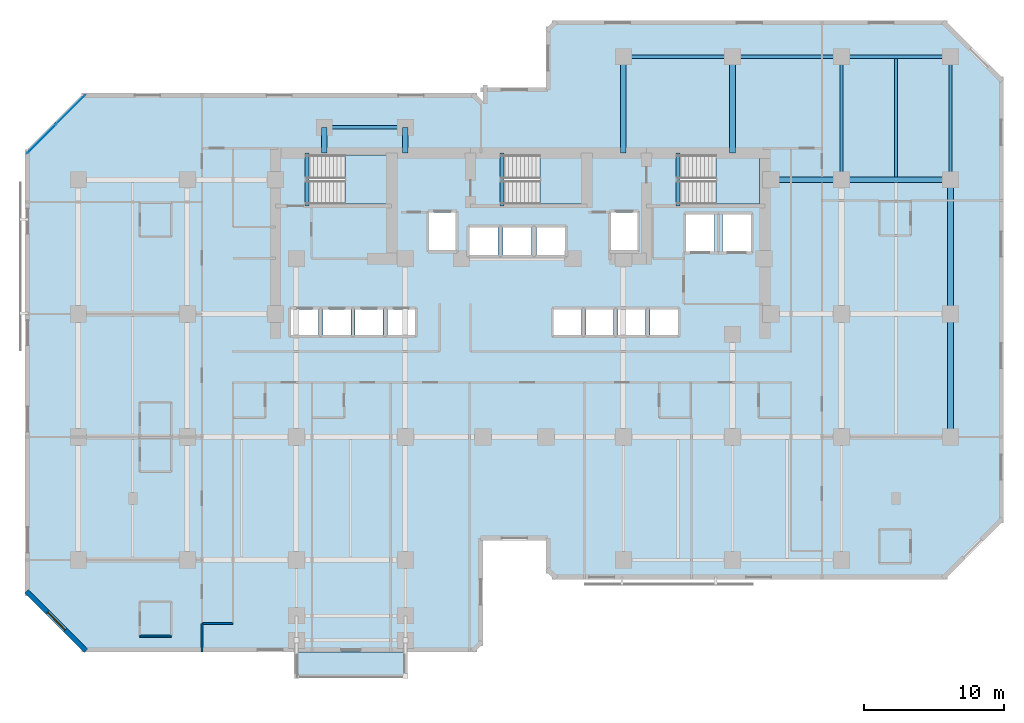
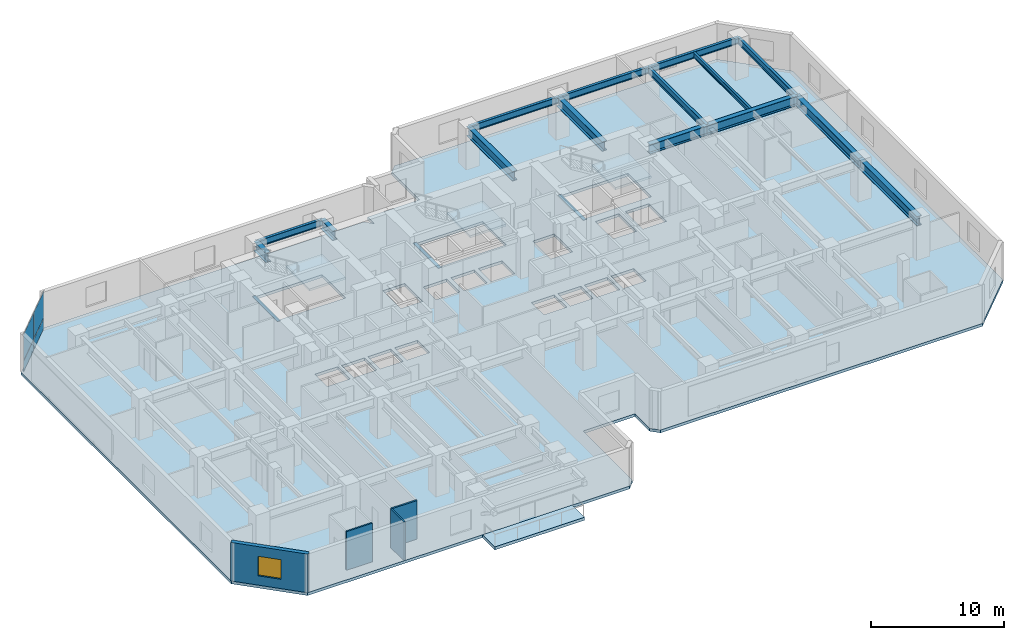
# One storey, part 5 of 12: 18 beams, 5 slabs, 4 plates, 4 walls, 1 window, 1 opening, 4 elements without a shape of their own.
"""IFC4 building model written with IfcOpenShell, lengths in metres."""

import ifcopenshell
import ifcopenshell.guid

model = None  # the IFC model being written
_history = None  # IfcOwnerHistory: only IFC2X3 demands one
_inside = {}  # id of a spatial element -> (the spatial element, [elements in it])
_under = {}  # id of a project, library or spatial element -> (it, [spatial elements below it])
_declared = {}  # id of a project -> (the project, [libraries it declares])
_typed = {}  # id of a type object -> (the type object, [elements of that type])
_made_of = {}  # id of a material, layer set ... -> (it, [elements and type objects made of it])


def new_model(schema):
    """Start an empty IFC model of exactly this schema.

    Asked for "IFC4X3", IfcOpenShell would pick the latest addendum, in which some entities
    have other attributes; the version numbers below select the first issue.
    IFC2X3 requires an IfcOwnerHistory on every rooted entity: one is made here for all.
    """
    global model, _history
    if schema == "IFC4X3":
        model = ifcopenshell.file(schema_version=(4, 3, 0, 0))
    else:
        model = ifcopenshell.file(schema=schema)
    _inside.clear()
    _under.clear()
    _declared.clear()
    _typed.clear()
    _made_of.clear()
    _history = None
    if model.schema == "IFC2X3":
        org = make("IfcOrganization", Name="unknown")
        user = make(
            "IfcPersonAndOrganization",
            ThePerson=make("IfcPerson", FamilyName="unknown"),
            TheOrganization=org,
        )
        app = make(
            "IfcApplication",
            ApplicationDeveloper=org,
            Version="unknown",
            ApplicationFullName="unknown",
            ApplicationIdentifier="unknown",
        )
        _history = make(
            "IfcOwnerHistory",
            OwningUser=user,
            OwningApplication=app,
            ChangeAction="ADDED",
            CreationDate=0,
        )
    return model


def make(cls, **values):
    """One entity of the class cls with the attributes given. An attribute that is None is left unset."""
    return model.create_entity(
        cls, **{name: value for name, value in values.items() if value is not None}
    )


def rooted(cls, **values):
    """An entity with a GlobalId (a new one), such as an element, a storey or a relation."""
    return make(cls, GlobalId=ifcopenshell.guid.new(), OwnerHistory=_history, **values)


def si_unit(unit_type, name, prefix=None):
    """IfcSIUnit, for example si_unit("LENGTHUNIT", "METRE", prefix="MILLI")."""
    return make("IfcSIUnit", UnitType=unit_type, Prefix=prefix, Name=name)


def assignment(units):
    """IfcUnitAssignment: the units of a project."""
    return None if units is None else make("IfcUnitAssignment", Units=units)


def point(xyz):
    """IfcCartesianPoint."""
    return None if xyz is None else make("IfcCartesianPoint", Coordinates=xyz)


def direction(xyz):
    """IfcDirection."""
    return None if xyz is None else make("IfcDirection", DirectionRatios=xyz)


def frame(location, z_axis=None, x_axis=None):
    """IfcAxis2Placement3D, a coordinate frame: its origin and axes. An axis left out is left unset."""
    return make(
        "IfcAxis2Placement3D",
        Location=point(location),
        Axis=direction(z_axis),
        RefDirection=direction(x_axis),
    )


def frame_2d(location, x_axis=None):
    """IfcAxis2Placement2D, a coordinate frame in the plane: its origin and x axis."""
    return make(
        "IfcAxis2Placement2D", Location=point(location), RefDirection=direction(x_axis)
    )


def origin():
    """The frame at (0, 0, 0) with its axes left unset."""
    return frame((0.0, 0.0, 0.0))


def origin_2d():
    """The frame at (0, 0) in the plane with its x axis left unset."""
    return frame_2d((0.0, 0.0))


def place(relative_to, where):
    """IfcLocalPlacement: puts the frame where relative to a parent placement (None: the world)."""
    return make(
        "IfcLocalPlacement", PlacementRelTo=relative_to, RelativePlacement=where
    )


def context(
    kind, dimensions, precision=None, world=None, true_north=None, identifier=None
):
    """IfcGeometricRepresentationContext, for example the 3D "Model" context."""
    return make(
        "IfcGeometricRepresentationContext",
        ContextIdentifier=identifier,
        ContextType=kind,
        CoordinateSpaceDimension=dimensions,
        Precision=precision,
        WorldCoordinateSystem=world,
        TrueNorth=true_north,
    )


def subcontext(parent, identifier, kind, view, scale=None):
    """IfcGeometricRepresentationSubContext, for example "Body" below "Model"."""
    return make(
        "IfcGeometricRepresentationSubContext",
        ContextIdentifier=identifier,
        ContextType=kind,
        ParentContext=parent,
        TargetScale=scale,
        TargetView=view,
    )


def project(units=None, contexts=None):
    """IfcProject with its units and contexts."""
    return rooted(
        "IfcProject",
        Name="project",
        RepresentationContexts=contexts,
        UnitsInContext=assignment(units),
    )


def spatial(cls, under=None, at=None, **own):
    """A site, building, storey or space (cls), placed at a placement, below another one or the project."""
    s = rooted(cls, ObjectPlacement=at, **own)
    if under is not None:
        _under.setdefault(under.id(), (under, []))[1].append(s)
    return s


def polyline(points):
    """IfcPolyline through the points."""
    return make("IfcPolyline", Points=[point(p) for p in points])


def profile(cls, at=None, kind="AREA", **sizes):
    """A parametric profile (cls). Its sizes go by their IFC names, for example OverallWidth=200.0."""
    return make(cls, ProfileType=kind, Position=at, **sizes)


def rectangle(**sizes):
    """IfcRectangleProfileDef."""
    return profile("IfcRectangleProfileDef", **sizes)


def i_section(**sizes):
    """IfcIShapeProfileDef."""
    return profile("IfcIShapeProfileDef", **sizes)


def outline(outer, holes=None, kind="AREA"):
    """IfcArbitraryClosedProfileDef: a profile drawn as a closed curve; with holes, ...WithVoids."""
    if holes is None:
        return make("IfcArbitraryClosedProfileDef", ProfileType=kind, OuterCurve=outer)
    return make(
        "IfcArbitraryProfileDefWithVoids",
        ProfileType=kind,
        OuterCurve=outer,
        InnerCurves=holes,
    )


def extrude(swept, where, along, depth):
    """IfcExtrudedAreaSolid: the profile swept, set in the frame where, extruded along a direction by depth."""
    return make(
        "IfcExtrudedAreaSolid",
        SweptArea=swept,
        Position=where,
        ExtrudedDirection=direction(along),
        Depth=depth,
    )


def shape(context_of_items, identifier, shape_type, items):
    """IfcShapeRepresentation: the items that make up one representation, for example the "Body"."""
    return make(
        "IfcShapeRepresentation",
        ContextOfItems=context_of_items,
        RepresentationIdentifier=identifier,
        RepresentationType=shape_type,
        Items=items,
    )


def material(Name=None, Category=None):
    """IfcMaterial."""
    return make("IfcMaterial", Name=Name, Category=Category)


def layer(
    of_material, thickness, ventilated=None, Name=None, Category=None, Priority=None
):
    """IfcMaterialLayer: one layer of a wall or slab, of a material (None: an air gap)."""
    return make(
        "IfcMaterialLayer",
        Material=of_material,
        LayerThickness=thickness,
        IsVentilated=ventilated,
        Name=Name,
        Category=Category,
        Priority=Priority,
    )


def layer_set(layers, Name=None):
    """IfcMaterialLayerSet."""
    return make("IfcMaterialLayerSet", MaterialLayers=layers, LayerSetName=Name)


def material_profile(
    of_material, cross_section, Name=None, Category=None, Priority=None
):
    """IfcMaterialProfile: a cross section and its material."""
    return make(
        "IfcMaterialProfile",
        Name=Name,
        Material=of_material,
        Profile=cross_section,
        Priority=Priority,
        Category=Category,
    )


def profile_set(profiles, Name=None, composite=None):
    """IfcMaterialProfileSet."""
    return make(
        "IfcMaterialProfileSet",
        Name=Name,
        MaterialProfiles=profiles,
        CompositeProfile=composite,
    )


def made_of(thing, what):
    """Note that an element or type object is made of a material, layer set ...; save() writes the relation."""
    if what is not None:
        _made_of.setdefault(what.id(), (what, []))[1].append(thing)
    return thing


def type_object(cls, material=None, **own):
    """A type object (cls), such as IfcWallType, which elements share."""
    return made_of(rooted(cls, **own), material)


def element(
    cls,
    number,
    at=None,
    inside=None,
    cuts=None,
    type_object=None,
    material=None,
    context=None,
    identifier="Body",
    shape_type=None,
    held_by="IfcProductDefinitionShape",
    body=None,
    shapes=None,
    **own,
):
    """One element of the class cls, such as IfcWall. Its Tag is "e" and its number.

    at: its placement. inside: the storey or other place that contains it. cuts: it is an
    opening in that element (IfcRelVoidsElement). A single representation is given by context,
    identifier, shape_type and body (its items); several are given by shapes. held_by: the class
    of the entity that holds the representations. save() writes the other relations.
    """
    e = rooted(cls, Tag="e%d" % number, ObjectPlacement=at, **own)
    if body is not None:
        shapes = [shape(context, identifier, shape_type, body)]
    if shapes is not None:
        e.Representation = make(held_by, Representations=shapes)
    if inside is not None:
        _inside.setdefault(inside.id(), (inside, []))[1].append(e)
    if cuts is not None:
        rooted(
            "IfcRelVoidsElement", RelatingBuildingElement=cuts, RelatedOpeningElement=e
        )
    if type_object is not None:
        _typed.setdefault(type_object.id(), (type_object, []))[1].append(e)
    return made_of(e, material)


def fill(opening, filler):
    """IfcRelFillsElement: the door or window that sits in an opening."""
    return rooted(
        "IfcRelFillsElement",
        RelatingOpeningElement=opening,
        RelatedBuildingElement=filler,
    )


def aggregate(whole, parts):
    """IfcRelAggregates: a whole, such as a stair, and the parts it consists of."""
    return rooted("IfcRelAggregates", RelatingObject=whole, RelatedObjects=parts)


def save(model, path):
    """Write the relations noted so far, then the file.

    IfcRelAggregates (storeys below a building ...), IfcRelContainedInSpatialStructure (elements
    in a storey), IfcRelDefinesByType, IfcRelAssociatesMaterial and IfcRelDeclares: one each for
    every whole, place, type object, material and project.
    """
    for whole, parts in _under.values():
        aggregate(whole, parts)
    for where, things in _inside.values():
        rooted(
            "IfcRelContainedInSpatialStructure",
            RelatedElements=things,
            RelatingStructure=where,
        )
    for kind, things in _typed.values():
        rooted("IfcRelDefinesByType", RelatedObjects=things, RelatingType=kind)
    for what, things in _made_of.values():
        rooted("IfcRelAssociatesMaterial", RelatedObjects=things, RelatingMaterial=what)
    for by, libraries in _declared.values():
        rooted("IfcRelDeclares", RelatingContext=by, RelatedDefinitions=libraries)
    model.write(path)


model = new_model("IFC4")

# Units and contexts
model_context = context("Model", 3, precision=1e-05, world=origin(), true_north=direction((0.0, 1.0)))
body_context = subcontext(model_context, "Body", "Model", "MODEL_VIEW")
ifc_project = project(units=[si_unit("LENGTHUNIT", "METRE"), si_unit("AREAUNIT", "SQUARE_METRE"), si_unit("VOLUMEUNIT", "CUBIC_METRE"), si_unit("PLANEANGLEUNIT", "RADIAN"), si_unit("MASSUNIT", "GRAM", prefix="KILO")], contexts=[model_context])

# Site, building, storey
site_placement = place(None, origin())
site = spatial("IfcSite", under=ifc_project, at=site_placement, CompositionType="ELEMENT")
building_placement = place(site_placement, origin())
building = spatial("IfcBuilding", under=site, at=building_placement, Name="Kestravale Grand Hotel", CompositionType="ELEMENT")
storey_placement = place(building_placement, frame((0.0, 0.0, 95.60009765625)))
storey = spatial("IfcBuildingStorey", under=building, at=storey_placement, Name="L23", CompositionType="ELEMENT", Elevation=95.60009765625)

# Beams
ifc_material_1 = material(Name="Steel ASTM A992 Grade 50", Category="steel")
ifc_material_profile_1 = material_profile(ifc_material_1, i_section(OverallWidth=0.19091796875, OverallDepth=0.45703125, WebThickness=0.009033203125, FlangeThickness=0.014404296875, FilletRadius=0.015380859375, at=origin_2d()))
ifc_profile_set_1 = profile_set([ifc_material_profile_1], Name="Steel ASTM A992 Grade 50")
beam_type_1 = type_object("IfcBeamType", Name="B-FLR-JST18", PredefinedType="JOIST", material=ifc_profile_set_1)
beam_1_placement = place(storey_placement, frame((66.300048828125, 38.6005859375, 3.3115234375), z_axis=(0.0, 1.0, 0.0), x_axis=(-1.0, 0.0, 0.0)))
element("IfcBeam", 1, at=beam_1_placement, inside=storey, type_object=beam_type_1, Name="L23 floor joist 10-11/F-G #1", PredefinedType="JOIST", context=body_context, shape_type="SweptSolid", body=[
    extrude(i_section(OverallWidth=0.19091796875, OverallDepth=0.45703125, WebThickness=0.009033203125, FlangeThickness=0.014404296875, FilletRadius=0.015380859375, at=origin_2d()), origin(), (0.0, 0.0, 1.0), 8.48486328125),
])
ifc_material_2 = material(Name="Concrete f'c 45 MPa", Category="concrete")
ifc_material_profile_2 = material_profile(ifc_material_2, rectangle(XDim=0.300048828125, YDim=0.39990234375, at=origin_2d()))
ifc_profile_set_2 = profile_set([ifc_material_profile_2], Name="Concrete f'c 45 MPa")
beam_type_2 = type_object("IfcBeamType", Name="B-FLR-LNT400", PredefinedType="LINTEL", material=ifc_profile_set_2)
for number, where, z_axis, x_axis, name in (
    (2, (24.159912109375, 36.52001953125, -0.2001953125), (0.0, 1.0, 0.0), (-1.0, 0.0, 0.0), "L23 ST1 flight bottom header beam"),
    (3, (38.110107421875, 36.52001953125, -0.2001953125), (0.0, 1.0, 0.0), (-1.0, 0.0, 0.0), "L23 ST2 flight bottom header beam"),
    (4, (50.7099609375, 36.52001953125, -0.2001953125), (0.0, 1.0, 0.0), (-1.0, 0.0, 0.0), "L23 ST3 flight bottom header beam"),
):
    element("IfcBeam", number, at=place(storey_placement, frame(where, z_axis=z_axis, x_axis=x_axis)), inside=storey, type_object=beam_type_2, Name=name, PredefinedType="LINTEL", context=body_context, shape_type="SweptSolid", body=[
        extrude(rectangle(XDim=0.300048828125, YDim=0.39990234375, at=origin_2d()), origin(), (0.0, 0.0, 1.0), 3.800048828125),
    ])
ifc_material_3 = material(Name="Steel ASTM A992 Grade 50", Category="steel")
ifc_material_profile_3 = material_profile(ifc_material_3, i_section(OverallWidth=0.22900390625, OverallDepth=0.612060546875, WebThickness=0.011962890625, FlangeThickness=0.01953125, FilletRadius=0.019287109375, at=origin_2d()))
ifc_profile_set_3 = profile_set([ifc_material_profile_3], Name="Steel ASTM A992 Grade 50")
beam_type_3 = type_object("IfcBeamType", Name="B-FLR-W24B", PredefinedType="SPANDREL", material=ifc_profile_set_3)
beam_2_placement = place(storey_placement, frame((46.800048828125, 47.199951171875, 3.23388671875), z_axis=(1.0, 0.0, 0.0), x_axis=(0.0, 1.0, 0.0)))
element("IfcBeam", 5, at=beam_2_placement, inside=storey, type_object=beam_type_3, Name="L23 spandrel G:8-9", PredefinedType="SPANDREL", context=body_context, shape_type="SweptSolid", body=[
    extrude(i_section(OverallWidth=0.22900390625, OverallDepth=0.612060546875, WebThickness=0.011962890625, FlangeThickness=0.01953125, FilletRadius=0.019287109375, at=origin_2d()), origin(), (0.0, 0.0, 1.0), 7.800048828125),
])
beam_3_placement = place(storey_placement, frame((54.60009765625, 47.199951171875, 3.23388671875), z_axis=(1.0, 0.0, 0.0), x_axis=(0.0, 1.0, 0.0)))
element("IfcBeam", 6, at=beam_3_placement, inside=storey, type_object=beam_type_3, Name="L23 spandrel G:9-10", PredefinedType="SPANDREL", context=body_context, shape_type="SweptSolid", body=[
    extrude(i_section(OverallWidth=0.22900390625, OverallDepth=0.612060546875, WebThickness=0.011962890625, FlangeThickness=0.01953125, FilletRadius=0.019287109375, at=origin_2d()), origin(), (0.0, 0.0, 1.0), 7.7998046875),
])
beam_4_placement = place(storey_placement, frame((62.39990234375, 47.199951171875, 3.23388671875), z_axis=(1.0, 0.0, 0.0), x_axis=(0.0, 1.0, 0.0)))
element("IfcBeam", 7, at=beam_4_placement, inside=storey, type_object=beam_type_3, Name="L23 spandrel G:10-11", PredefinedType="SPANDREL", context=body_context, shape_type="SweptSolid", body=[
    extrude(i_section(OverallWidth=0.22900390625, OverallDepth=0.612060546875, WebThickness=0.011962890625, FlangeThickness=0.01953125, FilletRadius=0.019287109375, at=origin_2d()), origin(), (0.0, 0.0, 1.0), 7.800048828125),
])
beam_5_placement = place(storey_placement, frame((25.39990234375, 42.14990234375, 3.23388671875), z_axis=(1.0, 0.0, 0.0), x_axis=(0.0, 1.0, 0.0)))
element("IfcBeam", 8, at=beam_5_placement, inside=storey, type_object=beam_type_3, Name="L23 perimeter tie spandrel FN:4-5", PredefinedType="SPANDREL", context=body_context, shape_type="SweptSolid", body=[
    extrude(i_section(OverallWidth=0.22900390625, OverallDepth=0.612060546875, WebThickness=0.011962890625, FlangeThickness=0.01953125, FilletRadius=0.019287109375, at=origin_2d()), origin(), (0.0, 0.0, 1.0), 5.800048828125),
])
for number, where, z_axis, x_axis, name in (
    (9, (62.39990234375, 38.39990234375, 3.23388671875), (0.0, 1.0, 0.0), (-1.0, 0.0, 0.0), "L23 spandrel 10:F-G"),
    (10, (70.199951171875, 38.39990234375, 3.23388671875), (0.0, 1.0, 0.0), (-1.0, 0.0, 0.0), "L23 spandrel 11:F-G"),
):
    element("IfcBeam", number, at=place(storey_placement, frame(where, z_axis=z_axis, x_axis=x_axis)), inside=storey, type_object=beam_type_3, Name=name, PredefinedType="SPANDREL", context=body_context, shape_type="SweptSolid", body=[
        extrude(i_section(OverallWidth=0.22900390625, OverallDepth=0.612060546875, WebThickness=0.011962890625, FlangeThickness=0.01953125, FilletRadius=0.019287109375, at=origin_2d()), origin(), (0.0, 0.0, 1.0), 8.800048828125),
    ])
ifc_material_4 = material(Name="Steel ASTM A992 Grade 50", Category="steel")
ifc_material_profile_4 = material_profile(ifc_material_4, i_section(OverallWidth=0.40087890625, OverallDepth=0.861083984375, WebThickness=0.019775390625, FlangeThickness=0.032470703125, FilletRadius=0.0234375, at=origin_2d()))
ifc_profile_set_4 = profile_set([ifc_material_profile_4], Name="Steel ASTM A992 Grade 50")
beam_type_4 = type_object("IfcBeamType", Name="B-GRD-W33", PredefinedType="BEAM", material=ifc_profile_set_4)
beam_6_placement = place(storey_placement, frame((57.35009765625, 38.39990234375, 3.109375), z_axis=(1.0, 0.0, 0.0), x_axis=(0.0, 1.0, 0.0)))
element("IfcBeam", 11, at=beam_6_placement, inside=storey, type_object=beam_type_4, Name="L23 girder F:CE-10", PredefinedType="BEAM", context=body_context, shape_type="SweptSolid", body=[
    extrude(i_section(OverallWidth=0.40087890625, OverallDepth=0.861083984375, WebThickness=0.019775390625, FlangeThickness=0.032470703125, FilletRadius=0.0234375, at=origin_2d()), origin(), (0.0, 0.0, 1.0), 5.0498046875),
])
beam_7_placement = place(storey_placement, frame((62.39990234375, 38.39990234375, 3.109375), z_axis=(1.0, 0.0, 0.0), x_axis=(0.0, 1.0, 0.0)))
element("IfcBeam", 12, at=beam_7_placement, inside=storey, type_object=beam_type_4, Name="L23 girder F:10-11", PredefinedType="BEAM", context=body_context, shape_type="SweptSolid", body=[
    extrude(i_section(OverallWidth=0.40087890625, OverallDepth=0.861083984375, WebThickness=0.019775390625, FlangeThickness=0.032470703125, FilletRadius=0.0234375, at=origin_2d()), origin(), (0.0, 0.0, 1.0), 7.800048828125),
])
beam_8_placement = place(storey_placement, frame((70.199951171875, 20.0, 3.109375), z_axis=(0.0, 1.0, 0.0), x_axis=(-1.0, 0.0, 0.0)))
element("IfcBeam", 13, at=beam_8_placement, inside=storey, type_object=beam_type_4, Name="L23 girder 11:D-E", PredefinedType="BEAM", context=body_context, shape_type="SweptSolid", body=[
    extrude(i_section(OverallWidth=0.40087890625, OverallDepth=0.861083984375, WebThickness=0.019775390625, FlangeThickness=0.032470703125, FilletRadius=0.0234375, at=origin_2d()), origin(), (0.0, 0.0, 1.0), 8.800048828125),
])
beam_9_placement = place(storey_placement, frame((70.199951171875, 28.800048828125, 3.109375), z_axis=(0.0, 1.0, 0.0), x_axis=(-1.0, 0.0, 0.0)))
element("IfcBeam", 14, at=beam_9_placement, inside=storey, type_object=beam_type_4, Name="L23 girder 11:E-F", PredefinedType="BEAM", context=body_context, shape_type="SweptSolid", body=[
    extrude(i_section(OverallWidth=0.40087890625, OverallDepth=0.861083984375, WebThickness=0.019775390625, FlangeThickness=0.032470703125, FilletRadius=0.0234375, at=origin_2d()), origin(), (0.0, 0.0, 1.0), 9.599853515625),
])
for number, where, z_axis, x_axis, name in (
    (15, (25.39990234375, 40.320068359375, 3.109375), (0.0, 1.0, 0.0), (-1.0, 0.0, 0.0), "L23 north wing tie girder 4:CN-FN"),
    (16, (31.199951171875, 40.320068359375, 3.109375), (0.0, 1.0, 0.0), (-1.0, 0.0, 0.0), "L23 north wing tie girder 5:CN-FN"),
):
    element("IfcBeam", number, at=place(storey_placement, frame(where, z_axis=z_axis, x_axis=x_axis)), inside=storey, type_object=beam_type_4, Name=name, PredefinedType="BEAM", context=body_context, shape_type="SweptSolid", body=[
        extrude(i_section(OverallWidth=0.40087890625, OverallDepth=0.861083984375, WebThickness=0.019775390625, FlangeThickness=0.032470703125, FilletRadius=0.0234375, at=origin_2d()), origin(), (0.0, 0.0, 1.0), 1.829833984375),
    ])
for number, where, z_axis, x_axis, name in (
    (17, (46.800048828125, 40.320068359375, 3.109375), (0.0, 1.0, 0.0), (-1.0, 0.0, 0.0), "L23 north wing tie girder 8:CN-G"),
    (18, (54.60009765625, 40.320068359375, 3.109375), (0.0, 1.0, 0.0), (-1.0, 0.0, 0.0), "L23 north wing tie girder 9:CN-G"),
):
    element("IfcBeam", number, at=place(storey_placement, frame(where, z_axis=z_axis, x_axis=x_axis)), inside=storey, type_object=beam_type_4, Name=name, PredefinedType="BEAM", context=body_context, shape_type="SweptSolid", body=[
        extrude(i_section(OverallWidth=0.40087890625, OverallDepth=0.861083984375, WebThickness=0.019775390625, FlangeThickness=0.032470703125, FilletRadius=0.0234375, at=origin_2d()), origin(), (0.0, 0.0, 1.0), 6.8798828125),
    ])

# Curtain wall, plates
ifc_material_5 = material(Name="Thermally broken champagne-bronze aluminium and low-E glazing", Category="aluminium")
ifc_layer_1 = layer(ifc_material_5, 0.199951171875)
ifc_layer_set_1 = layer_set([ifc_layer_1], Name="CW-Z2")
curtain_wall_type = type_object("IfcCurtainWallType", Name="CW-Z2", PredefinedType="NOTDEFINED", material=ifc_layer_set_1)
curtain_wall_placement = place(storey_placement, origin())
curtain_wall = element("IfcCurtainWall", 19, at=curtain_wall_placement, inside=storey, type_object=curtain_wall_type, Name="L23 unitised curtain wall 18", PredefinedType="NOTDEFINED")
ifc_material_6 = material(Name="Insulated clear low-E double glazing IGU", Category="glass")
ifc_layer_2 = layer(ifc_material_6, 0.031982421875)
ifc_layer_set_2 = layer_set([ifc_layer_2], Name="CW-PNL-32")
plate_type = type_object("IfcPlateType", Name="CW-PNL-32", PredefinedType="CURTAIN_PANEL", material=ifc_layer_set_2)
plate_1_placement = place(storey_placement, frame((7.26416015625, 43.423583984375, 0.06494140625), z_axis=(0.0, 0.0, 1.0), x_axis=(-0.707106781187, -0.707106781187, 0.0)))
plate_1 = element("IfcPlate", 20, at=plate_1_placement, type_object=plate_type, Name="CW-Z2 panel 1.1", PredefinedType="CURTAIN_PANEL", context=body_context, shape_type="SweptSolid", body=[
    extrude(rectangle(XDim=2.87744140625, YDim=0.031982421875, at=origin_2d()), origin(), (0.0, 0.0, 1.0), 0.952392578125),
])
plate_2_placement = place(storey_placement, frame((7.26416015625, 43.423583984375, 1.082275390625), z_axis=(0.0, 0.0, 1.0), x_axis=(-0.707106781187, -0.707106781187, 0.0)))
plate_2 = element("IfcPlate", 21, at=plate_2_placement, type_object=plate_type, Name="CW-Z2 panel 1.2", PredefinedType="CURTAIN_PANEL", context=body_context, shape_type="SweptSolid", body=[
    extrude(rectangle(XDim=2.87744140625, YDim=0.031982421875, at=origin_2d()), origin(), (0.0, 0.0, 1.0), 2.392578125),
])
plate_3_placement = place(storey_placement, frame((5.17626953125, 41.3359375, 0.06494140625), z_axis=(0.0, 0.0, 1.0), x_axis=(-0.707106781187, -0.707106781187, 0.0)))
plate_3 = element("IfcPlate", 22, at=plate_3_placement, type_object=plate_type, Name="CW-Z2 panel 2.1", PredefinedType="CURTAIN_PANEL", context=body_context, shape_type="SweptSolid", body=[
    extrude(rectangle(XDim=2.87744140625, YDim=0.031982421875, at=origin_2d()), origin(), (0.0, 0.0, 1.0), 0.952392578125),
])
plate_4_placement = place(storey_placement, frame((5.17626953125, 41.3359375, 1.082275390625), z_axis=(0.0, 0.0, 1.0), x_axis=(-0.707106781187, -0.707106781187, 0.0)))
plate_4 = element("IfcPlate", 23, at=plate_4_placement, type_object=plate_type, Name="CW-Z2 panel 2.2", PredefinedType="CURTAIN_PANEL", context=body_context, shape_type="SweptSolid", body=[
    extrude(rectangle(XDim=2.87744140625, YDim=0.031982421875, at=origin_2d()), origin(), (0.0, 0.0, 1.0), 2.392578125),
])
aggregate(curtain_wall, [plate_1, plate_2, plate_3, plate_4])

# Slab
ifc_material_7 = material(Name="Concrete f'c 45 MPa", Category="concrete")
ifc_layer_3 = layer(ifc_material_7, 0.27001953125)
ifc_layer_set_3 = layer_set([ifc_layer_3], Name="ES-TERR-270")
slab_type_1 = type_object("IfcSlabType", Name="ES-TERR-270", PredefinedType="FLOOR", material=ifc_layer_set_3)
slab_1_placement = place(storey_placement, frame((0.0, 0.0, -0.27001953125)))
element("IfcSlab", 24, at=slab_1_placement, inside=storey, type_object=slab_type_1, Name="L23 spiralling planted garden terrace", PredefinedType="FLOOR", context=body_context, shape_type="SweptSolid", body=[
    extrude(outline(polyline([(23.39990234375, 2.75), (31.199951171875, 2.75), (31.199951171875, 4.60009765625), (23.39990234375, 4.60009765625), (23.39990234375, 2.75)])), origin(), (0.0, 0.0, 1.0), 0.27001953125),
])

# Stair, slab
ifc_material_8 = material(Name="Concrete f'c 45 MPa", Category="concrete")
stair_type = type_object("IfcStairType", Name="ST-CORE-380", PredefinedType="HALF_TURN_STAIR", material=ifc_material_8)
stair_1_placement = place(storey_placement, origin())
stair_1 = element("IfcStair", 25, at=stair_1_placement, inside=storey, type_object=stair_type, Name="L23 ST-1", PredefinedType="HALF_TURN_STAIR")
ifc_material_9 = material(Name="Concrete f'c 45 MPa", Category="concrete")
ifc_layer_4 = layer(ifc_material_9, 0.199951171875)
ifc_layer_set_4 = layer_set([ifc_layer_4], Name="SLB-ST-LND200")
slab_type_2 = type_object("IfcSlabType", Name="SLB-ST-LND200", PredefinedType="LANDING", material=ifc_layer_set_4)
slab_2_placement = place(storey_placement, frame((0.0, 0.0, 1.699951171875)))
slab_2 = element("IfcSlab", 26, at=slab_2_placement, type_object=slab_type_2, Name="ST-1 landing 1", PredefinedType="LANDING", context=body_context, shape_type="SweptSolid", body=[
    extrude(outline(polyline([(26.8798828125, 36.64990234375), (30.0, 36.64990234375), (30.0, 40.159912109375), (26.8798828125, 40.159912109375), (26.8798828125, 36.64990234375)])), origin(), (0.0, 0.0, 1.0), 0.199951171875),
])
aggregate(stair_1, [slab_2])

stair_2_placement = place(storey_placement, origin())
stair_2 = element("IfcStair", 27, at=stair_2_placement, inside=storey, type_object=stair_type, Name="L23 ST-2", PredefinedType="HALF_TURN_STAIR")
slab_3_placement = place(storey_placement, frame((0.0, 0.0, 1.699951171875)))
slab_3 = element("IfcSlab", 28, at=slab_3_placement, type_object=slab_type_2, Name="ST-2 landing 1", PredefinedType="LANDING", context=body_context, shape_type="SweptSolid", body=[
    extrude(outline(polyline([(40.830078125, 36.64990234375), (43.949951171875, 36.64990234375), (43.949951171875, 40.159912109375), (40.830078125, 40.159912109375), (40.830078125, 36.64990234375)])), origin(), (0.0, 0.0, 1.0), 0.199951171875),
])
aggregate(stair_2, [slab_3])

stair_3_placement = place(storey_placement, origin())
stair_3 = element("IfcStair", 29, at=stair_3_placement, inside=storey, type_object=stair_type, Name="L23 ST-3", PredefinedType="HALF_TURN_STAIR")
slab_4_placement = place(storey_placement, frame((0.0, 0.0, 1.699951171875)))
slab_4 = element("IfcSlab", 30, at=slab_4_placement, type_object=slab_type_2, Name="ST-3 landing 1", PredefinedType="LANDING", context=body_context, shape_type="SweptSolid", body=[
    extrude(outline(polyline([(53.429931640625, 36.64990234375), (56.550048828125, 36.64990234375), (56.550048828125, 40.159912109375), (53.429931640625, 40.159912109375), (53.429931640625, 36.64990234375)])), origin(), (0.0, 0.0, 1.0), 0.199951171875),
])
aggregate(stair_3, [slab_4])

# Slab
ifc_material_10 = material(Name="Concrete f'c 45 MPa", Category="concrete")
ifc_layer_5 = layer(ifc_material_10, 0.260009765625)
ifc_layer_set_5 = layer_set([ifc_layer_5], Name="SS-FLR-260")
slab_type_3 = type_object("IfcSlabType", Name="SS-FLR-260", PredefinedType="FLOOR", material=ifc_layer_set_5)
slab_5_placement = place(storey_placement, frame((0.0, 0.0, -0.260009765625)))
element("IfcSlab", 31, at=slab_5_placement, inside=storey, type_object=slab_type_3, Name="L23 structural floor slab", PredefinedType="FLOOR", context=body_context, shape_type="SweptSolid", body=[
    extrude(outline(polyline([(8.199951171875, 4.60009765625), (36.14990234375, 4.60009765625), (36.75, 5.199951171875), (36.75, 12.60009765625), (41.25, 12.60009765625), (41.25, 10.39990234375), (41.85009765625, 9.800048828125), (69.800048828125, 9.800048828125), (74.0, 14.0), (74.0, 45.60009765625), (69.800048828125, 49.800048828125), (41.85009765625, 49.800048828125), (41.25, 49.199951171875), (41.25, 45.0), (36.75, 45.0), (36.75, 44.0), (36.14990234375, 44.60009765625), (8.199951171875, 44.60009765625), (4.0, 40.39990234375), (4.0, 8.800048828125), (8.199951171875, 4.60009765625)]), holes=[polyline([(24.080078125, 36.64990234375), (30.0, 36.64990234375), (30.0, 40.159912109375), (24.080078125, 40.159912109375), (24.080078125, 36.64990234375)]), polyline([(38.030029296875, 36.64990234375), (43.949951171875, 36.64990234375), (43.949951171875, 40.159912109375), (38.030029296875, 40.159912109375), (38.030029296875, 36.64990234375)]), polyline([(50.6298828125, 36.64990234375), (56.550048828125, 36.64990234375), (56.550048828125, 40.159912109375), (50.6298828125, 40.159912109375), (50.6298828125, 36.64990234375)]), polyline([(23.0048828125, 27.280029296875), (24.9951171875, 27.280029296875), (24.9951171875, 29.1201171875), (23.0048828125, 29.1201171875), (23.0048828125, 27.280029296875)]), polyline([(25.304931640625, 27.280029296875), (27.294921875, 27.280029296875), (27.294921875, 29.1201171875), (25.304931640625, 29.1201171875), (25.304931640625, 27.280029296875)]), polyline([(27.60498046875, 27.280029296875), (29.594970703125, 27.280029296875), (29.594970703125, 29.1201171875), (27.60498046875, 29.1201171875), (27.60498046875, 27.280029296875)]), polyline([(29.905029296875, 27.280029296875), (31.89501953125, 27.280029296875), (31.89501953125, 29.1201171875), (29.905029296875, 29.1201171875), (29.905029296875, 27.280029296875)]), polyline([(41.804931640625, 27.280029296875), (43.794921875, 27.280029296875), (43.794921875, 29.1201171875), (41.804931640625, 29.1201171875), (41.804931640625, 27.280029296875)]), polyline([(44.10498046875, 27.280029296875), (46.094970703125, 27.280029296875), (46.094970703125, 29.1201171875), (44.10498046875, 29.1201171875), (44.10498046875, 27.280029296875)]), polyline([(46.405029296875, 27.280029296875), (48.39501953125, 27.280029296875), (48.39501953125, 29.1201171875), (46.405029296875, 29.1201171875), (46.405029296875, 27.280029296875)]), polyline([(48.705078125, 27.280029296875), (50.695068359375, 27.280029296875), (50.695068359375, 29.1201171875), (48.705078125, 29.1201171875), (48.705078125, 27.280029296875)]), polyline([(35.780029296875, 33.030029296875), (37.820068359375, 33.030029296875), (37.820068359375, 34.969970703125), (35.780029296875, 34.969970703125), (35.780029296875, 33.030029296875)]), polyline([(38.179931640625, 33.030029296875), (40.219970703125, 33.030029296875), (40.219970703125, 34.969970703125), (38.179931640625, 34.969970703125), (38.179931640625, 33.030029296875)]), polyline([(40.580078125, 33.030029296875), (42.6201171875, 33.030029296875), (42.6201171875, 34.969970703125), (40.580078125, 34.969970703125), (40.580078125, 33.030029296875)]), polyline([(32.905029296875, 33.35498046875), (34.794921875, 33.35498046875), (34.794921875, 36.044921875), (32.905029296875, 36.044921875), (32.905029296875, 33.35498046875)]), polyline([(45.905029296875, 33.35498046875), (47.794921875, 33.35498046875), (47.794921875, 36.044921875), (45.905029296875, 36.044921875), (45.905029296875, 33.35498046875)]), polyline([(51.280029296875, 33.280029296875), (53.320068359375, 33.280029296875), (53.320068359375, 35.919921875), (51.280029296875, 35.919921875), (51.280029296875, 33.280029296875)]), polyline([(53.8798828125, 33.280029296875), (55.919921875, 33.280029296875), (55.919921875, 35.919921875), (53.8798828125, 35.919921875), (53.8798828125, 33.280029296875)])]), origin(), (0.0, 0.0, 1.0), 0.260009765625),
])

# Wall, opening, window
ifc_material_11 = material(Name="Precast concrete f'c 45 MPa", Category="concrete")
ifc_layer_6 = layer(ifc_material_11, 0.340087890625)
ifc_layer_set_6 = layer_set([ifc_layer_6], Name="EW-PREC-340")
wall_type_1 = type_object("IfcWallType", Name="EW-PREC-340", PredefinedType="SOLIDWALL", material=ifc_layer_set_6)
wall_1_placement = place(storey_placement, frame((4.091796875, 8.948486328125, 0.0), z_axis=(0.0, 0.0, 1.0), x_axis=(0.707106781187, -0.707106781187, 0.0)))
wall_1 = element("IfcWall", 32, at=wall_1_placement, inside=storey, type_object=wall_type_1, Name="L23 fluted precast facade wall 20", PredefinedType="SOLIDWALL", context=body_context, shape_type="SweptSolid", body=[
    extrude(rectangle(XDim=6.019775390625, YDim=0.340087890625, at=frame_2d((3.009765625, 0.0))), origin(), (0.0, 0.0, 1.0), 3.539794921875),
])
opening_placement = place(wall_1_placement, frame((2.10986328125, 0.0, 0.85009765625)))
opening = element("IfcOpeningElement", 33, at=opening_placement, cuts=wall_1, Name="Opening W-GUEST-1800", PredefinedType="OPENING", context=body_context, shape_type="SweptSolid", body=[
    extrude(rectangle(XDim=1.800048828125, YDim=1.800048828125, at=frame_2d((0.89990234375, 0.89990234375))), frame((0.0, 0.179931640625, 0.0), z_axis=(0.0, -1.0, 0.0), x_axis=(1.0, 0.0, 0.0)), (0.0, 0.0, 1.0), 0.360107421875),
])
ifc_material_12 = material(Name="Insulated low-E double glazing in aluminium frame", Category="aluminium")
window_type = type_object("IfcWindowType", Name="W-GUEST-1800", PartitioningType="DOUBLE_PANEL_VERTICAL", PredefinedType="WINDOW", material=ifc_material_12)
window_placement = place(opening_placement, origin())
window = element("IfcWindow", 34, at=window_placement, inside=storey, type_object=window_type, Name="L23 exterior window 20.1", OverallHeight=1.800048828125, OverallWidth=1.800048828125, PartitioningType="SINGLE_PANEL", PredefinedType="WINDOW", context=body_context, shape_type="SweptSolid", body=[
    extrude(rectangle(XDim=1.800048828125, YDim=1.800048828125, at=frame_2d((0.89990234375, 0.89990234375))), frame((0.0, 0.030029296875, 0.0), z_axis=(0.0, -1.0, 0.0), x_axis=(1.0, 0.0, 0.0)), (0.0, 0.0, 1.0), 0.06005859375),
])
fill(opening, window)

# Walls
ifc_material_13 = material(Name="Moisture-resistant tile-backer plumbing chase wall", Category="other")
ifc_layer_7 = layer(ifc_material_13, 0.139892578125)
ifc_layer_set_7 = layer_set([ifc_layer_7], Name="IW-PLB-140")
wall_type_2 = type_object("IfcWallType", Name="IW-PLB-140", PredefinedType="PLUMBINGWALL", material=ifc_layer_set_7)
wall_2_placement = place(storey_placement, frame((12.199951171875, 5.75, 0.0), z_axis=(0.0, 0.0, 1.0), x_axis=(1.0, 0.0, 0.0)))
element("IfcWall", 35, at=wall_2_placement, inside=storey, type_object=wall_type_2, Name="W-L23-U05-BS", PredefinedType="PLUMBINGWALL", context=body_context, shape_type="SweptSolid", body=[
    extrude(rectangle(XDim=2.25, YDim=0.139892578125, at=frame_2d((1.125, 0.0))), origin(), (0.0, 0.0, 1.0), 3.539794921875),
])
ifc_material_14 = material(Name="Double-stud STC 52 acoustic demising partition", Category="other")
ifc_layer_8 = layer(ifc_material_14, 0.14990234375)
ifc_layer_set_8 = layer_set([ifc_layer_8], Name="IW-UNIT-150")
wall_type_3 = type_object("IfcWallType", Name="IW-UNIT-150", PredefinedType="PARTITIONING", material=ifc_layer_set_8)
wall_3_placement = place(storey_placement, frame((16.639892578125, 6.64990234375, 0.0), z_axis=(0.0, 0.0, 1.0), x_axis=(1.0, 0.0, 0.0)))
element("IfcWall", 36, at=wall_3_placement, inside=storey, type_object=wall_type_3, Name="W-L23-SW-S", PredefinedType="PARTITIONING", context=body_context, shape_type="SweptSolid", body=[
    extrude(rectangle(XDim=2.22021484375, YDim=0.14990234375, at=frame_2d((1.110107421875, 0.0))), origin(), (0.0, 0.0, 1.0), 3.539794921875),
])
wall_4_placement = place(storey_placement, frame((16.639892578125, 4.6201171875, 0.0), z_axis=(0.0, 0.0, 1.0), x_axis=(0.0, 1.0, 0.0)))
element("IfcWall", 37, at=wall_4_placement, inside=storey, type_object=wall_type_3, Name="W-L23-SW-EXT", PredefinedType="PARTITIONING", context=body_context, shape_type="SweptSolid", body=[
    extrude(rectangle(XDim=2.02978515625, YDim=0.14990234375, at=frame_2d((1.014892578125, 0.0))), origin(), (0.0, 0.0, 1.0), 3.539794921875),
])

save(model, "model.ifc")
